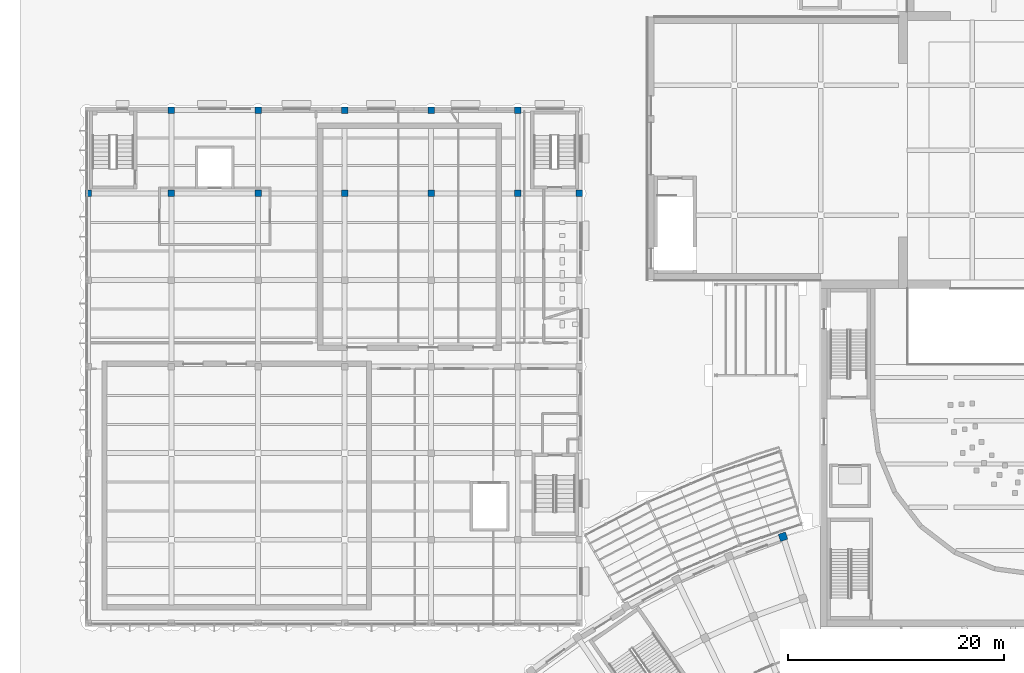
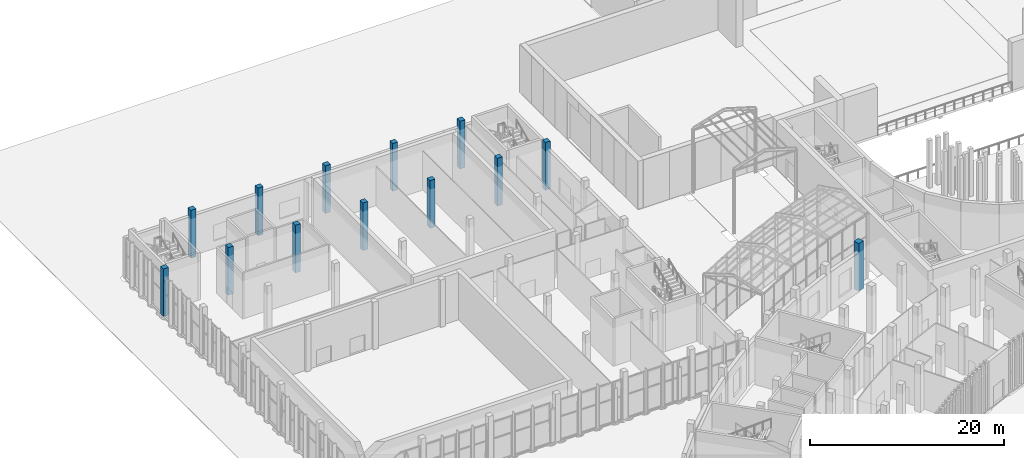
# One storey, part 10 of 155: 13 columns.
"""IFC4 building model written with IfcOpenShell, lengths in metres."""

from ifc_helpers import new_model, si_unit, direction, frame, origin, origin_2d, place, context, subcontext, project, spatial, rectangle, extrude, material, material_profile, profile_set, type_object, element, save


model = new_model("IFC4")

# Units and contexts
model_context = context("Model", 3, precision=1e-05, world=origin(), true_north=direction((0.0, 1.0)))
body_context = subcontext(model_context, "Body", "Model", "MODEL_VIEW")
ifc_project = project(units=[si_unit("LENGTHUNIT", "METRE"), si_unit("AREAUNIT", "SQUARE_METRE"), si_unit("VOLUMEUNIT", "CUBIC_METRE"), si_unit("PLANEANGLEUNIT", "RADIAN"), si_unit("MASSUNIT", "GRAM", prefix="KILO")], contexts=[model_context])

# Site, building, storey
site_placement = place(None, origin())
site = spatial("IfcSite", under=ifc_project, at=site_placement, CompositionType="ELEMENT")
building_placement = place(site_placement, origin())
building = spatial("IfcBuilding", under=site, at=building_placement, Name="Lunette Opera House", CompositionType="ELEMENT")
storey_placement = place(building_placement, origin())
storey = spatial("IfcBuildingStorey", under=building, at=storey_placement, Name="L00", CompositionType="ELEMENT", Elevation=0.0)

# Columns
ifc_material_1 = material(Name="Concrete C35/45", Category="concrete")
ifc_material_profile_1 = material_profile(ifc_material_1, rectangle(XDim=0.60009765625, YDim=0.60009765625, at=origin_2d()), Name="RC COLUMN 600X600")
ifc_profile_set_1 = profile_set([ifc_material_profile_1], Name="Concrete C35/45")
column_type_1 = type_object("IfcColumnType", Name="RC COLUMN 600X600", PredefinedType="COLUMN", material=ifc_profile_set_1)
for number, where, z_axis, x_axis, name in (
    (1, (8.300048828125, 104.0, 0.0), (0.0, 0.0, 1.0), (1.0, 0.0, 0.0), "col-RW-L00-C05"),
    (2, (16.0, 104.0, 0.0), (0.0, 0.0, 1.0), (1.0, 0.0, 0.0), "col-RW-L00-C15"),
    (3, (16.0, 111.699951171875, 0.0), (0.0, 0.0, 1.0), (1.0, 0.0, 0.0), "col-RW-L00-C16"),
    (4, (24.0, 104.0, 0.0), (0.0, 0.0, 1.0), (1.0, 0.0, 0.0), "col-RW-L00-C25"),
    (5, (24.0, 111.699951171875, 0.0), (0.0, 0.0, 1.0), (1.0, 0.0, 0.0), "col-RW-L00-C26"),
    (6, (32.0, 104.0, 0.0), (0.0, 0.0, 1.0), (1.0, 0.0, 0.0), "col-RW-L00-C35"),
    (7, (32.0, 111.699951171875, 0.0), (0.0, 0.0, 1.0), (1.0, 0.0, 0.0), "col-RW-L00-C36"),
    (8, (40.0, 104.0, 0.0), (0.0, 0.0, 1.0), (1.0, 0.0, 0.0), "col-RW-L00-C45"),
    (9, (40.0, 111.699951171875, 0.0), (0.0, 0.0, 1.0), (1.0, 0.0, 0.0), "col-RW-L00-C46"),
    (10, (48.0, 104.0, 0.0), (0.0, 0.0, 1.0), (1.0, 0.0, 0.0), "col-RW-L00-C55"),
    (11, (48.0, 111.699951171875, 0.0), (0.0, 0.0, 1.0), (1.0, 0.0, 0.0), "col-RW-L00-C56"),
    (12, (53.699951171875, 104.0, 0.0), (0.0, 0.0, 1.0), (1.0, 0.0, 0.0), "col-RW-L00-C65"),
):
    element("IfcColumn", number, at=place(storey_placement, frame(where, z_axis=z_axis, x_axis=x_axis)), inside=storey, type_object=column_type_1, Name=name, PredefinedType="COLUMN", context=body_context, shape_type="SweptSolid", body=[
        extrude(rectangle(XDim=0.60009765625, YDim=0.60009765625, at=origin_2d()), origin(), (0.0, 0.0, 1.0), 6.0),
    ])
ifc_material_2 = material(Name="Concrete C35/45", Category="concrete")
ifc_material_profile_2 = material_profile(ifc_material_2, rectangle(XDim=0.699951171875, YDim=0.699951171875, at=origin_2d()), Name="RC COLUMN 700X700")
ifc_profile_set_2 = profile_set([ifc_material_profile_2], Name="Concrete C35/45")
column_type_2 = type_object("IfcColumnType", Name="RC COLUMN 700X700", PredefinedType="COLUMN", material=ifc_profile_set_2)
column_placement = place(storey_placement, frame((72.514892578125, 72.280029296875, 0.0), z_axis=(0.0, 0.0, 1.0), x_axis=(0.951056516295, 0.309016994375, 0.0)))
element("IfcColumn", 13, at=column_placement, inside=storey, type_object=column_type_2, Name="col-FC-L00-AR-C-RL-09", PredefinedType="COLUMN", context=body_context, shape_type="SweptSolid", body=[
    extrude(rectangle(XDim=0.699951171875, YDim=0.699951171875, at=origin_2d()), origin(), (0.0, 0.0, 1.0), 6.0),
])

save(model, "model.ifc")
